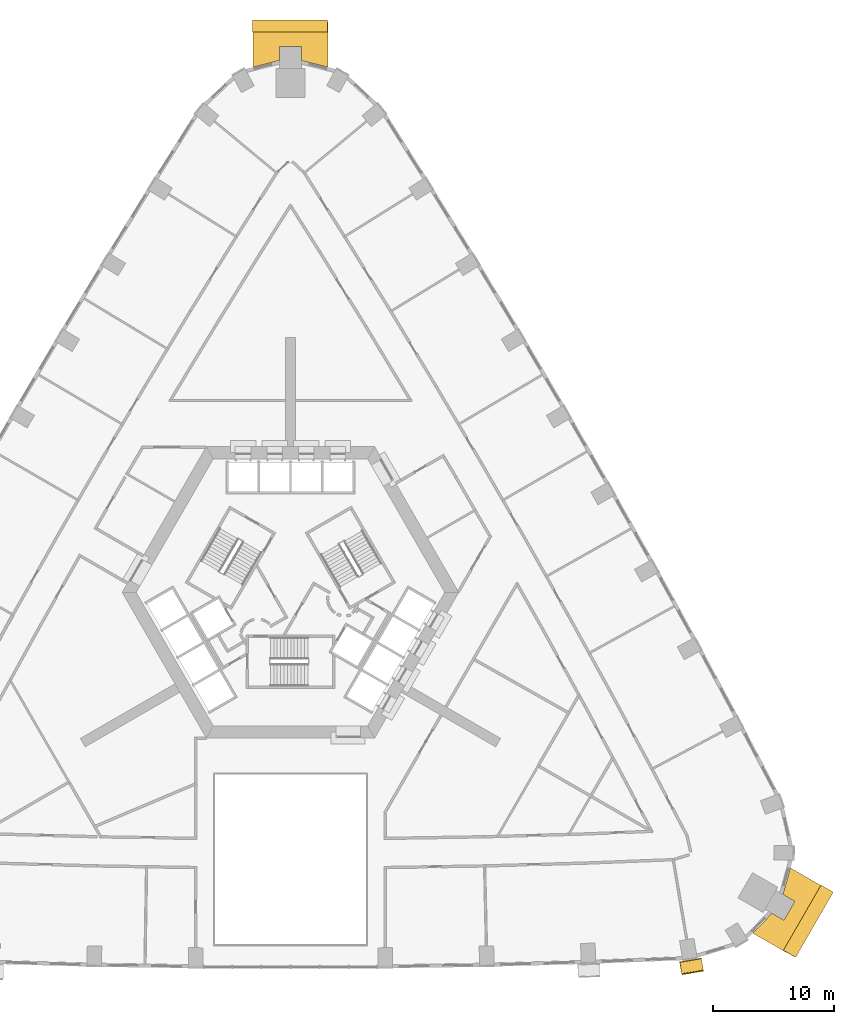
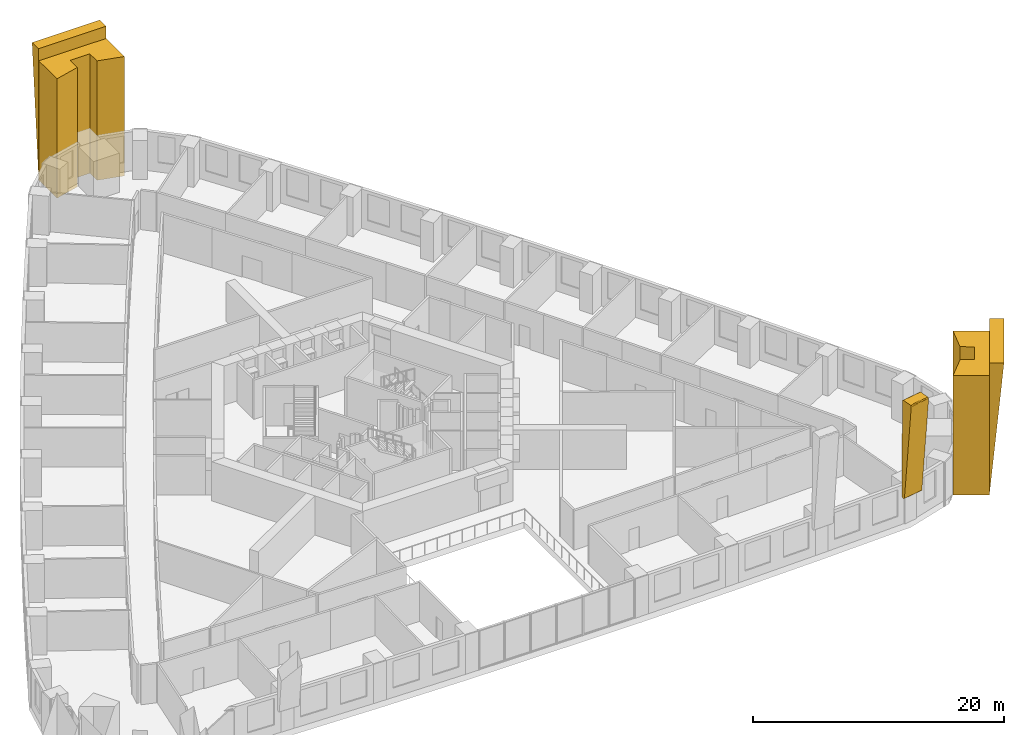
# One storey, part 15 of 15: 5 coverings.
"""IFC4 building model written with IfcOpenShell, lengths in metres."""

from ifc_helpers import new_model, si_unit, direction, frame, origin, place, context, subcontext, project, spatial, polyline, outline, extrude, material, type_object, element, save


model = new_model("IFC4")

# Units and contexts
model_context = context("Model", 3, precision=1e-05, world=origin(), true_north=direction((0.0, 1.0)))
body_context = subcontext(model_context, "Body", "Model", "MODEL_VIEW")
ifc_project = project(units=[si_unit("LENGTHUNIT", "METRE"), si_unit("AREAUNIT", "SQUARE_METRE"), si_unit("VOLUMEUNIT", "CUBIC_METRE"), si_unit("PLANEANGLEUNIT", "RADIAN"), si_unit("MASSUNIT", "GRAM", prefix="KILO")], contexts=[model_context])

# Site, building, storey
site_placement = place(None, origin())
site = spatial("IfcSite", under=ifc_project, at=site_placement, CompositionType="ELEMENT")
building_placement = place(site_placement, origin())
building = spatial("IfcBuilding", under=site, at=building_placement, Name="Entoto Arch Interchange Tower", CompositionType="ELEMENT")
storey_placement = place(building_placement, frame((0.0, 0.0, 35.0)))
storey = spatial("IfcBuildingStorey", under=building, at=storey_placement, Name="L06", CompositionType="ELEMENT", Elevation=35.0)

# Coverings
ifc_material = material(Name="Board-marked precast concrete C50/60", Category="concrete")
covering_type = type_object("IfcCoveringType", Name="PRECAST FRAME COURSE", PredefinedType="CLADDING", material=ifc_material)
covering_1_placement = place(storey_placement, frame((0.0, 0.0, -0.60009765625)))
element("IfcCovering", 1, at=covering_1_placement, inside=storey, type_object=covering_type, Name="Corner pilaster SE L06-L08", PredefinedType="CLADDING", context=body_context, shape_type="SweptSolid", body=[
    extrude(outline(polyline([(43.66796875, -21.632080078125), (40.568115234375, -27.001953125), (38.06103515625, -25.554931640625), (39.64892578125, -23.930908203125), (40.6279296875, -24.49609375), (41.528076171875, -22.93798828125), (40.550048828125, -22.3720703125), (41.162109375, -20.18603515625), (43.66796875, -21.632080078125)])), origin(), (0.0, 0.0, 1.0), 11.60009765625),
])
covering_2_placement = place(storey_placement, frame((0.0, 0.0, -0.60009765625)))
element("IfcCovering", 2, at=covering_2_placement, inside=storey, type_object=covering_type, Name="Corner pilaster N L06-L08", PredefinedType="CLADDING", context=body_context, shape_type="SweptSolid", body=[
    extrude(outline(polyline([(-3.10009765625, 48.633056640625), (3.10009765625, 48.633056640625), (3.10009765625, 45.739990234375), (0.89990234375, 46.302978515625), (0.89990234375, 47.43310546875), (-0.89990234375, 47.43310546875), (-0.89990234375, 46.302978515625), (-3.10009765625, 45.739990234375), (-3.10009765625, 48.633056640625)])), origin(), (0.0, 0.0, 1.0), 11.60009765625),
])
covering_3_placement = place(storey_placement, frame((40.568115234375, -27.001953125, -0.60009765625), z_axis=(-0.500016696803, -0.86601046187, 0.003030321766), x_axis=(0.079893130197, -0.042643860507, 0.995890851905)))
element("IfcCovering", 3, at=covering_3_placement, inside=storey, type_object=covering_type, Name="Corner rib SE L06-L08", PredefinedType="CLADDING", context=body_context, shape_type="SweptSolid", body=[
    extrude(outline(polyline([(0.0, 0.0), (12.85286314623594, -2.220446049250313e-16), (12.747506286364482, 1.1592404835765306), (0.0, 0.0)])), origin(), (0.0, 0.0, -1.0), 6.199951171875),
])
covering_4_placement = place(storey_placement, frame((3.10009765625, 48.633056640625, -0.60009765625), z_axis=(0.999995573371, 0.0, 0.002975439346), x_axis=(-0.002966457555, 0.077641321771, 0.996976943205)))
element("IfcCovering", 4, at=covering_4_placement, inside=storey, type_object=covering_type, Name="Corner rib N L06-L08", PredefinedType="CLADDING", context=body_context, shape_type="SweptSolid", body=[
    extrude(outline(polyline([(0.0, 0.0), (12.838861435421538, -1.1102230246251565e-16), (12.761466533861691, 0.9938171090032152), (0.0, 0.0)])), origin(), (0.0, 0.0, -1.0), 6.199951171875),
])
covering_5_placement = place(storey_placement, frame((32.073974609375, -28.202880859375, 2.81396484375), z_axis=(-0.985917782228, -0.167204410459, 0.002968469228), x_axis=(-0.031118846892, 0.165993199444, -0.985635772031)))
element("IfcCovering", 5, at=covering_5_placement, inside=storey, type_object=covering_type, Name="Fold rib S08 L06-L08", PredefinedType="CLADDING", context=body_context, shape_type="SweptSolid", body=[
    extrude(outline(polyline([(0.0, 0.0), (0.029476317443382645, -8.673617379884035e-19), (0.05783046287148014, -0.006463177381381512), (0.08538160101727223, -0.01835801101373511), (0.1094979740052214, -0.034790071648700675), (0.13019477658478648, -0.05583958873085107), (0.14564066463775266, -0.08092629833303758), (0.15663101179899322, -0.10893280800743241), (0.16161311299981512, -0.1380100650671355), (0.16137220569055122, -0.16696386832412288), (0.15512307086333757, -0.19556028190175598), (0.14282264402490502, -0.22352534415278305), (0.1255728069912239, -0.24716850167619825), (0.09290465963006012, -0.276259396815235), (0.06566737190670535, -0.2893159578377937), (0.037758899566302934, -0.2970277555593599), (-9.067775836439985, -1.8562956768984027), (-9.11104927333925, -1.8523884685213154), (-9.13903611253371, -1.8437430152964902), (-9.164915452655075, -1.8285898276310595), (-9.18745375336763, -1.809809479342332), (-9.205627682297445, -1.7861298499178542), (-9.22268440678902, -1.7458467282920938), (-9.364143687022182, -0.9201444876359786), (-9.364143413446325, -0.8912319096855121), (-9.35789427861911, -0.862635496107879), (-9.34515058962998, -0.8358155466970407), (-9.329025390263757, -0.8113882198823412), (-9.30817875849604, -0.7913675585284377), (-9.28336044621616, -0.7757534736836565), (-9.255768563526223, -0.7647555125849788), (-9.227373782984323, -0.7598909264155156), (0.0, 0.0)])), origin(), (0.0, 0.0, -1.0), 1.800048828125),
])

save(model, "model.ifc")
